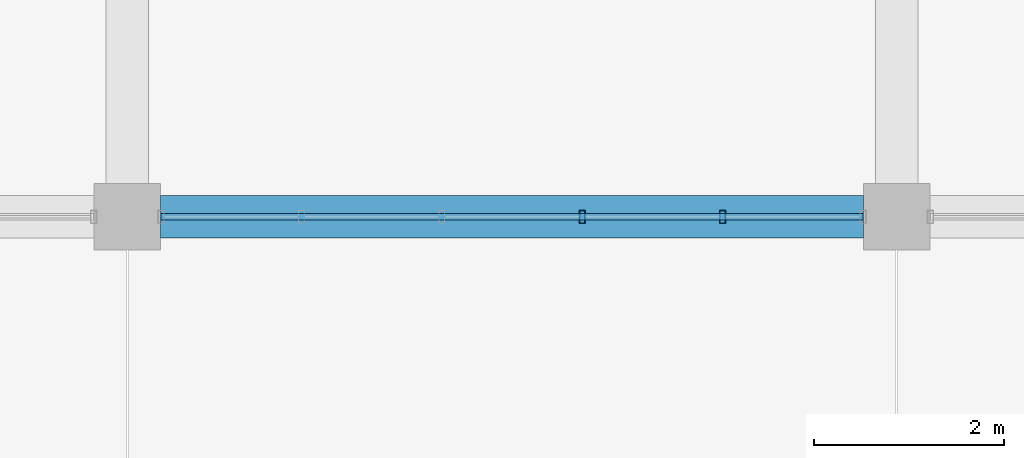
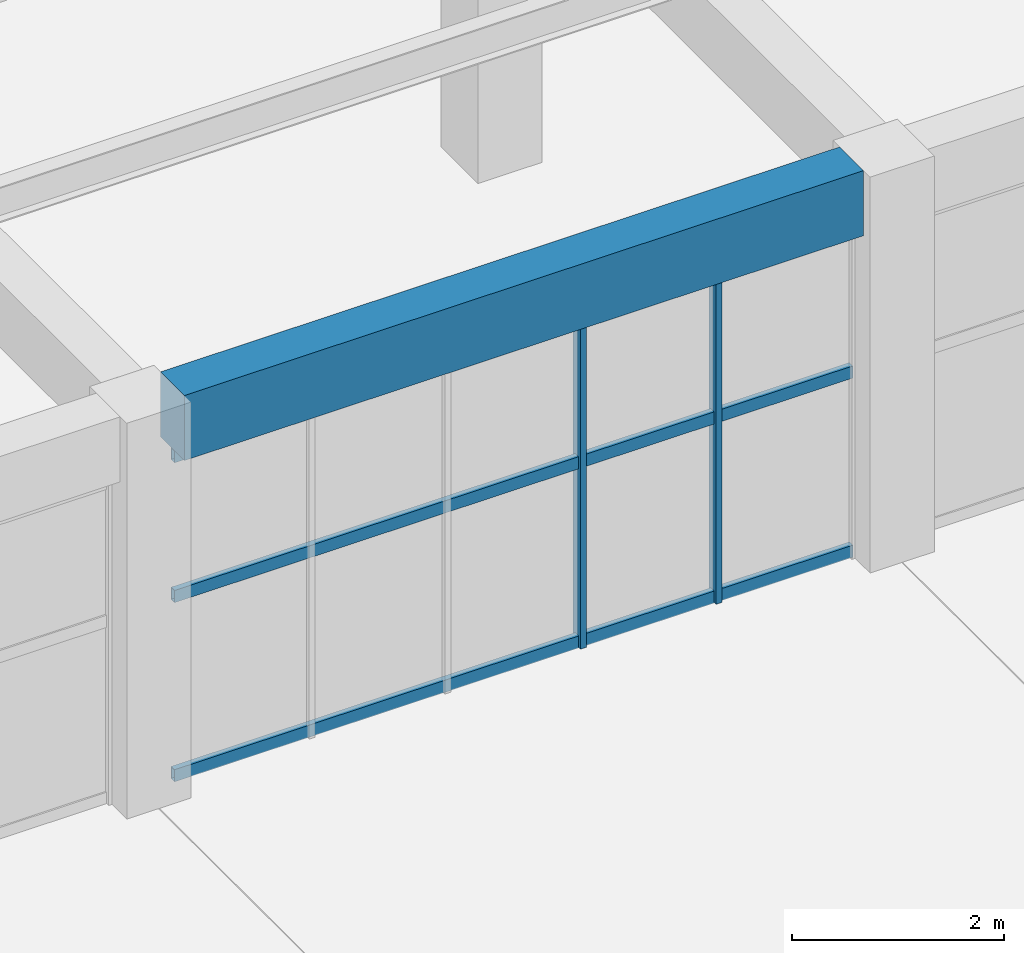
# One storey, part 10 of 161: 5 members, 1 beam, 1 element without a shape of its own.
"""IFC4 building model written with IfcOpenShell, lengths in metres."""

from ifc_helpers import new_model, si_unit, direction, frame, origin, origin_2d, place, context, subcontext, project, spatial, rectangle, hollow_rectangle, extrude, material, material_profile, profile_set, type_object, element, aggregate, save


model = new_model("IFC4")

# Units and contexts
model_context = context("Model", 3, precision=1e-05, world=origin(), true_north=direction((0.0, 1.0)))
body_context = subcontext(model_context, "Body", "Model", "MODEL_VIEW")
ifc_project = project(units=[si_unit("LENGTHUNIT", "METRE"), si_unit("AREAUNIT", "SQUARE_METRE"), si_unit("VOLUMEUNIT", "CUBIC_METRE"), si_unit("PLANEANGLEUNIT", "RADIAN"), si_unit("MASSUNIT", "GRAM", prefix="KILO")], contexts=[model_context])

# Site, building, storey
site_placement = place(None, origin())
site = spatial("IfcSite", under=ifc_project, at=site_placement, CompositionType="ELEMENT")
building_placement = place(site_placement, origin())
building = spatial("IfcBuilding", under=site, at=building_placement, Name="Cimatlan Art Gallery", CompositionType="ELEMENT")
storey_placement = place(building_placement, frame((0.0, 0.0, 5.39990234375)))
storey = spatial("IfcBuildingStorey", under=building, at=storey_placement, Name="L01", CompositionType="ELEMENT", Elevation=5.39990234375)

# Beam
ifc_material_1 = material(Name="Concrete C40/50", Category="concrete")
ifc_material_profile_1 = material_profile(ifc_material_1, rectangle(XDim=0.449951171875, YDim=0.75, at=origin_2d()), Name="RC450X750")
ifc_profile_set_1 = profile_set([ifc_material_profile_1], Name="Concrete C40/50")
beam_type = type_object("IfcBeamType", Name="BM-RC-450X750", PredefinedType="BEAM", material=ifc_profile_set_1)
beam_placement = place(storey_placement, frame((59.050048828125, 23.89990234375, 4.18505859375), z_axis=(1.0, 0.0, 0.0), x_axis=(0.0, 1.0, 0.0)))
element("IfcBeam", 1, at=beam_placement, inside=storey, type_object=beam_type, Name="BM-X-L01-07-03", PredefinedType="BEAM", context=body_context, shape_type="SweptSolid", body=[
    extrude(rectangle(XDim=0.449951171875, YDim=0.75, at=origin_2d()), origin(), (0.0, 0.0, 1.0), 7.39990234375),
])

# Curtain wall, members
ifc_material_2 = material(Name="Anodised bronze unitised curtain wall")
curtain_wall_type = type_object("IfcCurtainWallType", Name="CW-V-07392X03795-B5", PredefinedType="NOTDEFINED", material=ifc_material_2)
curtain_wall_placement = place(storey_placement, origin())
curtain_wall = element("IfcCurtainWall", 2, at=curtain_wall_placement, inside=storey, type_object=curtain_wall_type, Name="CW-L01-07-03-S", PredefinedType="NOTDEFINED")
ifc_material_3 = material(Name="Anodised bronze aluminium 6063-T6", Category="aluminium")
ifc_material_profile_2 = material_profile(ifc_material_3, hollow_rectangle(XDim=0.06494140625, YDim=0.139892578125, WallThickness=0.00390625, at=origin_2d()), Name="ALU65X140X4")
ifc_profile_set_2 = profile_set([ifc_material_profile_2], Name="Anodised bronze aluminium 6063-T6")
member_type_1 = type_object("IfcMemberType", Name="CW-MUL-140", PredefinedType="MULLION", material=ifc_profile_set_2)
member_1_placement = place(storey_placement, frame((64.967529296875, 23.89990234375, 0.0), z_axis=(0.0, 0.0, 1.0), x_axis=(1.0, 0.0, 0.0)))
member_1 = element("IfcMember", 3, at=member_1_placement, type_object=member_type_1, Name="CW-L01-07-03-S-M2", PredefinedType="MULLION", context=body_context, shape_type="SweptSolid", body=[
    extrude(hollow_rectangle(XDim=0.06494140625, YDim=0.139892578125, WallThickness=0.00390625, at=origin_2d()), origin(), (0.0, 0.0, 1.0), 3.795166015625),
])
member_2_placement = place(storey_placement, frame((63.4892578125, 23.89990234375, 0.0), z_axis=(0.0, 0.0, 1.0), x_axis=(1.0, 0.0, 0.0)))
member_2 = element("IfcMember", 4, at=member_2_placement, type_object=member_type_1, Name="CW-L01-07-03-S-M3", PredefinedType="MULLION", context=body_context, shape_type="SweptSolid", body=[
    extrude(hollow_rectangle(XDim=0.06494140625, YDim=0.139892578125, WallThickness=0.00390625, at=origin_2d()), origin(), (0.0, 0.0, 1.0), 3.795166015625),
])
ifc_material_profile_3 = material_profile(ifc_material_3, hollow_rectangle(XDim=0.06494140625, YDim=0.139892578125, WallThickness=0.00390625, at=origin_2d()), Name="ALU65X140X4")
ifc_profile_set_3 = profile_set([ifc_material_profile_3], Name="Anodised bronze aluminium 6063-T6")
member_type_2 = type_object("IfcMemberType", Name="CW-TRN-140", PredefinedType="USERDEFINED", material=ifc_profile_set_3)
member_3_placement = place(storey_placement, frame((66.446044921875, 23.89990234375, 0.06005859375), z_axis=(-1.0, 0.0, 0.0), x_axis=(0.0, -1.0, 0.0)))
member_3 = element("IfcMember", 5, at=member_3_placement, type_object=member_type_2, Name="CW-L01-07-03-S-T1", ObjectType="TRANSOM", PredefinedType="USERDEFINED", context=body_context, shape_type="SweptSolid", body=[
    extrude(hollow_rectangle(XDim=0.06494140625, YDim=0.139892578125, WallThickness=0.00390625, at=origin_2d()), origin(), (0.0, 0.0, 1.0), 7.39208984375),
])
member_4_placement = place(storey_placement, frame((66.446044921875, 23.89990234375, 2.125244140625), z_axis=(-1.0, 0.0, 0.0), x_axis=(0.0, -1.0, 0.0)))
member_4 = element("IfcMember", 6, at=member_4_placement, type_object=member_type_2, Name="CW-L01-07-03-S-T2", ObjectType="TRANSOM", PredefinedType="USERDEFINED", context=body_context, shape_type="SweptSolid", body=[
    extrude(hollow_rectangle(XDim=0.06494140625, YDim=0.139892578125, WallThickness=0.00390625, at=origin_2d()), origin(), (0.0, 0.0, 1.0), 7.39208984375),
])
member_5_placement = place(storey_placement, frame((66.446044921875, 23.89990234375, 3.735107421875), z_axis=(-1.0, 0.0, 0.0), x_axis=(0.0, -1.0, 0.0)))
member_5 = element("IfcMember", 7, at=member_5_placement, type_object=member_type_2, Name="CW-L01-07-03-S-T3", ObjectType="TRANSOM", PredefinedType="USERDEFINED", context=body_context, shape_type="SweptSolid", body=[
    extrude(hollow_rectangle(XDim=0.06494140625, YDim=0.139892578125, WallThickness=0.00390625, at=origin_2d()), origin(), (0.0, 0.0, 1.0), 7.39208984375),
])
aggregate(curtain_wall, [member_1, member_2, member_3, member_4, member_5])

save(model, "model.ifc")
